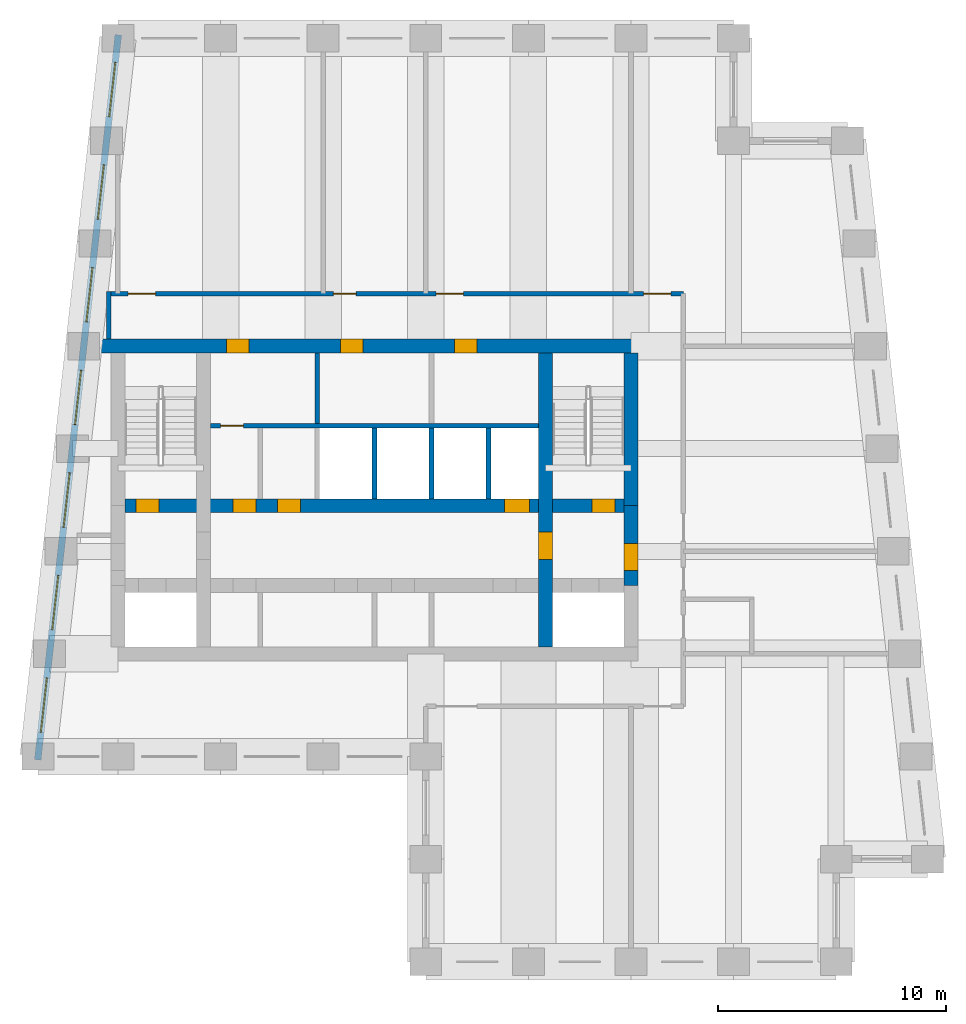
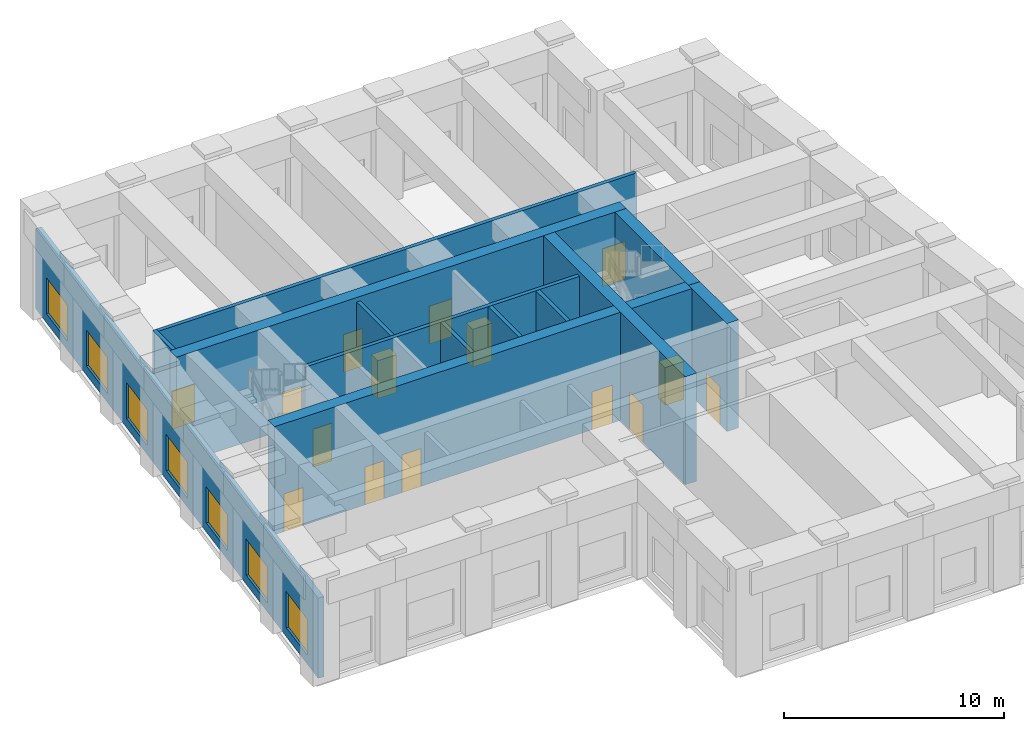
# One storey, part 3 of 7: 15 doors, 13 walls, 7 windows, 22 openings.
"""IFC4 building model written with IfcOpenShell, lengths in metres."""

from ifc_helpers import new_model, si_unit, direction, frame, frame_2d, origin, place, context, subcontext, project, spatial, rectangle, extrude, material, layer, layer_set, type_object, element, fill, save


model = new_model("IFC4")

# Units and contexts
model_context = context("Model", 3, precision=1e-05, world=origin(), true_north=direction((0.0, 1.0)))
body_context = subcontext(model_context, "Body", "Model", "MODEL_VIEW")
ifc_project = project(units=[si_unit("LENGTHUNIT", "METRE"), si_unit("AREAUNIT", "SQUARE_METRE"), si_unit("VOLUMEUNIT", "CUBIC_METRE"), si_unit("PLANEANGLEUNIT", "RADIAN"), si_unit("MASSUNIT", "GRAM", prefix="KILO")], contexts=[model_context])

# Site, building, storey
site_placement = place(None, origin())
site = spatial("IfcSite", under=ifc_project, at=site_placement, CompositionType="ELEMENT")
building_placement = place(site_placement, origin())
building = spatial("IfcBuilding", under=site, at=building_placement, Name="Kilele Tower Hotel", CompositionType="ELEMENT")
storey_placement = place(building_placement, frame((0.0, 0.0, 244.699951171875)))
storey = spatial("IfcBuildingStorey", under=building, at=storey_placement, Name="L63", CompositionType="ELEMENT", Elevation=244.699951171875)

# Wall, openings, doors
ifc_material_1 = material(Name="Concrete C60/75", Category="concrete")
ifc_layer_1 = layer(ifc_material_1, 0.60009765625)
ifc_layer_set_1 = layer_set([ifc_layer_1], Name="Concrete C60/75")
wall_type_1 = type_object("IfcWallType", Name="Core wall 600 C60/75", PredefinedType="SHEAR", material=ifc_layer_set_1)
wall_1_placement = place(storey_placement, frame((36.300048828125, 27.0, 0.0), z_axis=(0.0, 0.0, 1.0), x_axis=(-1.0, 0.0, 0.0)))
wall_1 = element("IfcWall", 1, at=wall_1_placement, inside=storey, type_object=wall_type_1, Name="Core wall N L63", PredefinedType="SHEAR", context=body_context, shape_type="SweptSolid", body=[
    extrude(rectangle(XDim=23.60009765625, YDim=0.60009765625, at=frame_2d((11.800048828125, 0.0))), origin(), (0.0, 0.0, 1.0), 6.0),
])
opening_1_placement = place(wall_1_placement, frame((17.050048828125, 0.0, 0.0)))
opening_1 = element("IfcOpeningElement", 2, at=opening_1_placement, cuts=wall_1, Name="Opening D12", PredefinedType="OPENING", context=body_context, shape_type="SweptSolid", body=[
    extrude(rectangle(XDim=1.0, YDim=2.10009765625, at=frame_2d((0.5, 1.050048828125))), frame((0.0, 0.31005859375, 0.0), z_axis=(0.0, -1.0, 0.0), x_axis=(1.0, 0.0, 0.0)), (0.0, 0.0, 1.0), 0.6201171875),
])
opening_2_placement = place(wall_1_placement, frame((12.050048828125, 0.0, 0.0)))
opening_2 = element("IfcOpeningElement", 3, at=opening_2_placement, cuts=wall_1, Name="Opening D6", PredefinedType="OPENING", context=body_context, shape_type="SweptSolid", body=[
    extrude(rectangle(XDim=1.0, YDim=2.10009765625, at=frame_2d((0.5, 1.050048828125))), frame((0.0, 0.31005859375, 0.0), z_axis=(0.0, -1.0, 0.0), x_axis=(1.0, 0.0, 0.0)), (0.0, 0.0, 1.0), 0.6201171875),
])
opening_3_placement = place(wall_1_placement, frame((7.050048828125, 0.0, 0.0)))
opening_3 = element("IfcOpeningElement", 4, at=opening_3_placement, cuts=wall_1, Name="Opening D6", PredefinedType="OPENING", context=body_context, shape_type="SweptSolid", body=[
    extrude(rectangle(XDim=1.0, YDim=2.10009765625, at=frame_2d((0.5, 1.050048828125))), frame((0.0, 0.31005859375, 0.0), z_axis=(0.0, -1.0, 0.0), x_axis=(1.0, 0.0, 0.0)), (0.0, 0.0, 1.0), 0.6201171875),
])
ifc_material_2 = material(Name="Timber door leaf in hardwood frame", Category="wood")
door_type_1 = type_object("IfcDoorType", Name="Core lobby door 1000", OperationType="SINGLE_SWING_LEFT", PredefinedType="DOOR", material=ifc_material_2)
door_1_placement = place(opening_1_placement, origin())
door_1 = element("IfcDoor", 5, at=door_1_placement, inside=storey, type_object=door_type_1, Name="North lobby door L63", OperationType="SINGLE_SWING_RIGHT", OverallHeight=2.10009765625, OverallWidth=1.0, PredefinedType="DOOR", context=body_context, shape_type="SweptSolid", body=[
    extrude(rectangle(XDim=1.0, YDim=2.10009765625, at=frame_2d((0.5, 1.050048828125))), frame((0.0, 0.2998046875, 0.0), z_axis=(0.0, -1.0, 0.0), x_axis=(1.0, 0.0, 0.0)), (0.0, 0.0, 1.0), 0.599609375),
])
fill(opening_1, door_1)
ifc_material_3 = material(Name="Timber door leaf in hardwood frame", Category="wood")
door_type_2 = type_object("IfcDoorType", Name="Riser door 1000", OperationType="SINGLE_SWING_LEFT", PredefinedType="DOOR", material=ifc_material_3)
door_2_placement = place(opening_2_placement, origin())
door_2 = element("IfcDoor", 6, at=door_2_placement, inside=storey, type_object=door_type_2, Name="Linen store door L63", OperationType="SINGLE_SWING_RIGHT", OverallHeight=2.10009765625, OverallWidth=1.0, PredefinedType="DOOR", context=body_context, shape_type="SweptSolid", body=[
    extrude(rectangle(XDim=1.0, YDim=2.10009765625, at=frame_2d((0.5, 1.050048828125))), frame((0.0, 0.2998046875, 0.0), z_axis=(0.0, -1.0, 0.0), x_axis=(1.0, 0.0, 0.0)), (0.0, 0.0, 1.0), 0.599609375),
])
fill(opening_2, door_2)
door_3_placement = place(opening_3_placement, origin())
door_3 = element("IfcDoor", 7, at=door_3_placement, inside=storey, type_object=door_type_2, Name="Electrical riser door L63", OperationType="SINGLE_SWING_RIGHT", OverallHeight=2.10009765625, OverallWidth=1.0, PredefinedType="DOOR", context=body_context, shape_type="SweptSolid", body=[
    extrude(rectangle(XDim=1.0, YDim=2.10009765625, at=frame_2d((0.5, 1.050048828125))), frame((0.0, 0.2998046875, 0.0), z_axis=(0.0, -1.0, 0.0), x_axis=(1.0, 0.0, 0.0)), (0.0, 0.0, 1.0), 0.599609375),
])
fill(opening_3, door_3)

# Wall, opening, door
wall_2_placement = place(storey_placement, frame((32.25, 13.800048828125, 0.0), z_axis=(0.0, 0.0, 1.0), x_axis=(0.0, 1.0, 0.0)))
wall_2 = element("IfcWall", 8, at=wall_2_placement, inside=storey, type_object=wall_type_1, Name="Core wall IE L63", PredefinedType="SHEAR", context=body_context, shape_type="SweptSolid", body=[
    extrude(rectangle(XDim=12.89990234375, YDim=0.60009765625, at=frame_2d((6.449951171875, 0.0))), origin(), (0.0, 0.0, 1.0), 6.0),
])
opening_4_placement = place(wall_2_placement, frame((5.050048828125, 0.0, 0.0), z_axis=(0.0, 0.0, 1.0), x_axis=(-1.0, 0.0, 0.0)))
opening_4 = element("IfcOpeningElement", 9, at=opening_4_placement, cuts=wall_2, Name="Opening D4", PredefinedType="OPENING", context=body_context, shape_type="SweptSolid", body=[
    extrude(rectangle(XDim=1.199951171875, YDim=2.10009765625, at=frame_2d((0.60009765625, 1.050048828125))), frame((0.0, 0.31005859375, 0.0), z_axis=(0.0, -1.0, 0.0), x_axis=(1.0, 0.0, 0.0)), (0.0, 0.0, 1.0), 0.6201171875),
])
ifc_material_4 = material(Name="Timber door leaf in hardwood frame", Category="wood")
door_type_3 = type_object("IfcDoorType", Name="Firefighting lobby door 1200", OperationType="SINGLE_SWING_LEFT", PredefinedType="DOOR", material=ifc_material_4)
door_4_placement = place(opening_4_placement, origin())
door_4 = element("IfcDoor", 10, at=door_4_placement, inside=storey, type_object=door_type_3, Name="Lobby door L63", OperationType="SINGLE_SWING_RIGHT", OverallHeight=2.10009765625, OverallWidth=1.199951171875, PredefinedType="DOOR", context=body_context, shape_type="SweptSolid", body=[
    extrude(rectangle(XDim=1.199951171875, YDim=2.10009765625, at=frame_2d((0.60009765625, 1.050048828125))), frame((0.0, 0.2998046875, 0.0), z_axis=(0.0, -1.0, 0.0), x_axis=(1.0, 0.0, 0.0)), (0.0, 0.0, 1.0), 0.599609375),
])
fill(opening_4, door_4)

# Wall, openings, doors
wall_3_placement = place(storey_placement, frame((13.800048828125, 20.0, 0.0), z_axis=(0.0, 0.0, 1.0), x_axis=(1.0, 0.0, 0.0)))
wall_3 = element("IfcWall", 11, at=wall_3_placement, inside=storey, type_object=wall_type_1, Name="Core wall LN L63", PredefinedType="SHEAR", context=body_context, shape_type="SweptSolid", body=[
    extrude(rectangle(XDim=21.89990234375, YDim=0.60009765625, at=frame_2d((10.949951171875, 0.0))), origin(), (0.0, 0.0, 1.0), 6.0),
])
opening_5_placement = place(wall_3_placement, frame((0.5, 0.0, 0.0)))
opening_5 = element("IfcOpeningElement", 12, at=opening_5_placement, cuts=wall_3, Name="Opening D5", PredefinedType="OPENING", context=body_context, shape_type="SweptSolid", body=[
    extrude(rectangle(XDim=1.0, YDim=2.10009765625, at=frame_2d((0.5, 1.050048828125))), frame((0.0, 0.31005859375, 0.0), z_axis=(0.0, -1.0, 0.0), x_axis=(1.0, 0.0, 0.0)), (0.0, 0.0, 1.0), 0.6201171875),
])
opening_6_placement = place(wall_3_placement, frame((20.5, 0.0, 0.0)))
opening_6 = element("IfcOpeningElement", 13, at=opening_6_placement, cuts=wall_3, Name="Opening D5", PredefinedType="OPENING", context=body_context, shape_type="SweptSolid", body=[
    extrude(rectangle(XDim=1.0, YDim=2.10009765625, at=frame_2d((0.5, 1.050048828125))), frame((0.0, 0.31005859375, 0.0), z_axis=(0.0, -1.0, 0.0), x_axis=(1.0, 0.0, 0.0)), (0.0, 0.0, 1.0), 0.6201171875),
])
opening_7_placement = place(wall_3_placement, frame((16.64990234375, 0.0, 0.0)))
opening_7 = element("IfcOpeningElement", 14, at=opening_7_placement, cuts=wall_3, Name="Opening LD1", PredefinedType="OPENING", context=body_context, shape_type="SweptSolid", body=[
    extrude(rectangle(XDim=1.10009765625, YDim=2.10009765625, at=frame_2d((0.550048828125, 1.050048828125))), frame((0.0, 0.31005859375, 0.0), z_axis=(0.0, -1.0, 0.0), x_axis=(1.0, 0.0, 0.0)), (0.0, 0.0, 1.0), 0.6201171875),
])
opening_8_placement = place(wall_3_placement, frame((5.75, 0.0, 0.0), z_axis=(0.0, 0.0, 1.0), x_axis=(-1.0, 0.0, 0.0)))
opening_8 = element("IfcOpeningElement", 15, at=opening_8_placement, cuts=wall_3, Name="Opening D12", PredefinedType="OPENING", context=body_context, shape_type="SweptSolid", body=[
    extrude(rectangle(XDim=1.0, YDim=2.10009765625, at=frame_2d((0.5, 1.050048828125))), frame((0.0, 0.31005859375, 0.0), z_axis=(0.0, -1.0, 0.0), x_axis=(1.0, 0.0, 0.0)), (0.0, 0.0, 1.0), 0.6201171875),
])
opening_9_placement = place(wall_3_placement, frame((6.699951171875, 0.0, 0.0)))
opening_9 = element("IfcOpeningElement", 16, at=opening_9_placement, cuts=wall_3, Name="Opening D11", PredefinedType="OPENING", context=body_context, shape_type="SweptSolid", body=[
    extrude(rectangle(XDim=1.0, YDim=2.10009765625, at=frame_2d((0.5, 1.050048828125))), frame((0.0, 0.31005859375, 0.0), z_axis=(0.0, -1.0, 0.0), x_axis=(1.0, 0.0, 0.0)), (0.0, 0.0, 1.0), 0.6201171875),
])
door_5_placement = place(opening_8_placement, origin())
door_5 = element("IfcDoor", 17, at=door_5_placement, inside=storey, type_object=door_type_1, Name="Core passage door L63", OperationType="SINGLE_SWING_RIGHT", OverallHeight=2.10009765625, OverallWidth=1.0, PredefinedType="DOOR", context=body_context, shape_type="SweptSolid", body=[
    extrude(rectangle(XDim=1.0, YDim=2.10009765625, at=frame_2d((0.5, 1.050048828125))), frame((0.0, 0.2998046875, 0.0), z_axis=(0.0, -1.0, 0.0), x_axis=(1.0, 0.0, 0.0)), (0.0, 0.0, 1.0), 0.599609375),
])
fill(opening_8, door_5)
ifc_material_5 = material(Name="Timber door leaf in hardwood frame", Category="wood")
door_type_4 = type_object("IfcDoorType", Name="Core store door 1000", OperationType="SINGLE_SWING_LEFT", PredefinedType="DOOR", material=ifc_material_5)
door_6_placement = place(opening_9_placement, origin())
door_6 = element("IfcDoor", 18, at=door_6_placement, inside=storey, type_object=door_type_4, Name="Core room door S2 L63", OperationType="SINGLE_SWING_LEFT", OverallHeight=2.10009765625, OverallWidth=1.0, PredefinedType="DOOR", context=body_context, shape_type="SweptSolid", body=[
    extrude(rectangle(XDim=1.0, YDim=2.10009765625, at=frame_2d((0.5, 1.050048828125))), frame((0.0, 0.2998046875, 0.0), z_axis=(0.0, -1.0, 0.0), x_axis=(1.0, 0.0, 0.0)), (0.0, 0.0, 1.0), 0.599609375),
])
fill(opening_9, door_6)
ifc_material_6 = material(Name="Steel lift landing door", Category="steel")
door_type_5 = type_object("IfcDoorType", Name="Lift landing door 1100", OperationType="SLIDING_TO_LEFT", PredefinedType="DOOR", material=ifc_material_6)
door_7_placement = place(opening_7_placement, origin())
door_7 = element("IfcDoor", 19, at=door_7_placement, inside=storey, type_object=door_type_5, Name="Landing door G1 L63", OperationType="SLIDING_TO_LEFT", OverallHeight=2.10009765625, OverallWidth=1.10009765625, PredefinedType="DOOR", context=body_context, shape_type="SweptSolid", body=[
    extrude(rectangle(XDim=1.10009765625, YDim=2.10009765625, at=frame_2d((0.550048828125, 1.050048828125))), frame((0.0, 0.2998046875, 0.0), z_axis=(0.0, -1.0, 0.0), x_axis=(1.0, 0.0, 0.0)), (0.0, 0.0, 1.0), 0.599609375),
])
fill(opening_7, door_7)
ifc_material_7 = material(Name="Timber door leaf in hardwood frame", Category="wood")
door_type_6 = type_object("IfcDoorType", Name="Stair door 1000", OperationType="SINGLE_SWING_LEFT", PredefinedType="DOOR", material=ifc_material_7)
door_8_placement = place(opening_5_placement, origin())
door_8 = element("IfcDoor", 20, at=door_8_placement, inside=storey, type_object=door_type_6, Name="Stair 1 door L63", OperationType="SINGLE_SWING_LEFT", OverallHeight=2.10009765625, OverallWidth=1.0, PredefinedType="DOOR", context=body_context, shape_type="SweptSolid", body=[
    extrude(rectangle(XDim=1.0, YDim=2.10009765625, at=frame_2d((0.5, 1.050048828125))), frame((0.0, 0.2998046875, 0.0), z_axis=(0.0, -1.0, 0.0), x_axis=(1.0, 0.0, 0.0)), (0.0, 0.0, 1.0), 0.599609375),
])
fill(opening_5, door_8)
door_9_placement = place(opening_6_placement, origin())
door_9 = element("IfcDoor", 21, at=door_9_placement, inside=storey, type_object=door_type_6, Name="Stair 2 door L63", OperationType="SINGLE_SWING_RIGHT", OverallHeight=2.10009765625, OverallWidth=1.0, PredefinedType="DOOR", context=body_context, shape_type="SweptSolid", body=[
    extrude(rectangle(XDim=1.0, YDim=2.10009765625, at=frame_2d((0.5, 1.050048828125))), frame((0.0, 0.2998046875, 0.0), z_axis=(0.0, -1.0, 0.0), x_axis=(1.0, 0.0, 0.0)), (0.0, 0.0, 1.0), 0.599609375),
])
fill(opening_6, door_9)

# Wall, opening, door
wall_4_placement = place(storey_placement, frame((36.0, 16.5, 0.0), z_axis=(0.0, 0.0, 1.0), x_axis=(0.0, 1.0, 0.0)))
wall_4 = element("IfcWall", 22, at=wall_4_placement, inside=storey, type_object=wall_type_1, Name="Core wall E2 L63", PredefinedType="SHEAR", context=body_context, shape_type="SweptSolid", body=[
    extrude(rectangle(XDim=3.5, YDim=0.60009765625, at=frame_2d((1.75, 0.0))), origin(), (0.0, 0.0, 1.0), 6.0),
])
opening_10_placement = place(wall_4_placement, frame((0.64990234375, 0.0, 0.0)))
opening_10 = element("IfcOpeningElement", 23, at=opening_10_placement, cuts=wall_4, Name="Opening D4", PredefinedType="OPENING", context=body_context, shape_type="SweptSolid", body=[
    extrude(rectangle(XDim=1.199951171875, YDim=2.10009765625, at=frame_2d((0.60009765625, 1.050048828125))), frame((0.0, 0.31005859375, 0.0), z_axis=(0.0, -1.0, 0.0), x_axis=(1.0, 0.0, 0.0)), (0.0, 0.0, 1.0), 0.6201171875),
])
door_10_placement = place(opening_10_placement, origin())
door_10 = element("IfcDoor", 24, at=door_10_placement, inside=storey, type_object=door_type_3, Name="Lobby door L63", OperationType="SINGLE_SWING_LEFT", OverallHeight=2.10009765625, OverallWidth=1.199951171875, PredefinedType="DOOR", context=body_context, shape_type="SweptSolid", body=[
    extrude(rectangle(XDim=1.199951171875, YDim=2.10009765625, at=frame_2d((0.60009765625, 1.050048828125))), frame((0.0, 0.2998046875, 0.0), z_axis=(0.0, -1.0, 0.0), x_axis=(1.0, 0.0, 0.0)), (0.0, 0.0, 1.0), 0.599609375),
])
fill(opening_10, door_10)

# Wall
wall_5_placement = place(storey_placement, frame((36.0, 20.0, 0.0), z_axis=(0.0, 0.0, 1.0), x_axis=(0.0, 1.0, 0.0)))
element("IfcWall", 25, at=wall_5_placement, inside=storey, type_object=wall_type_1, Name="Core wall E3 L63", PredefinedType="SHEAR", context=body_context, shape_type="SweptSolid", body=[
    extrude(rectangle(XDim=6.699951171875, YDim=0.60009765625, at=frame_2d((3.35009765625, 0.0))), origin(), (0.0, 0.0, 1.0), 6.0),
])

# Wall, openings, doors
ifc_material_8 = material(Name="Blockwork, plastered both sides", Category="masonry")
ifc_layer_2 = layer(ifc_material_8, 0.199951171875)
ifc_layer_set_2 = layer_set([ifc_layer_2], Name="Blockwork, plastered both sides")
wall_type_2 = type_object("IfcWallType", Name="Corridor wall 200", PredefinedType="PARTITIONING", material=ifc_layer_set_2)
wall_6_placement = place(storey_placement, frame((13.0, 29.300048828125, 0.0), z_axis=(0.0, 0.0, 1.0), x_axis=(1.0, 0.0, 0.0)))
wall_6 = element("IfcWall", 26, at=wall_6_placement, inside=storey, type_object=wall_type_2, Name="Corridor wall 200 L63", PredefinedType="PARTITIONING", context=body_context, shape_type="SweptSolid", body=[
    extrude(rectangle(XDim=25.300048828125, YDim=0.199951171875, at=frame_2d((12.64990234375, 0.0))), origin(), (0.0, 0.0, 1.0), 5.75),
])
opening_11_placement = place(wall_6_placement, frame((0.949951171875, 0.0, 0.0)))
opening_11 = element("IfcOpeningElement", 27, at=opening_11_placement, cuts=wall_6, Name="Opening D7A", PredefinedType="OPENING", context=body_context, shape_type="SweptSolid", body=[
    extrude(rectangle(XDim=1.199951171875, YDim=2.10009765625, at=frame_2d((0.60009765625, 1.050048828125))), frame((0.0, 0.10986328125, 0.0), z_axis=(0.0, -1.0, 0.0), x_axis=(1.0, 0.0, 0.0)), (0.0, 0.0, 1.0), 0.219970703125),
])
opening_12_placement = place(wall_6_placement, frame((9.949951171875, 0.0, 0.0)))
opening_12 = element("IfcOpeningElement", 28, at=opening_12_placement, cuts=wall_6, Name="Opening D7", PredefinedType="OPENING", context=body_context, shape_type="SweptSolid", body=[
    extrude(rectangle(XDim=1.0, YDim=2.10009765625, at=frame_2d((0.5, 1.050048828125))), frame((0.0, 0.10986328125, 0.0), z_axis=(0.0, -1.0, 0.0), x_axis=(1.0, 0.0, 0.0)), (0.0, 0.0, 1.0), 0.219970703125),
])
opening_13_placement = place(wall_6_placement, frame((14.449951171875, 0.0, 0.0)))
opening_13 = element("IfcOpeningElement", 29, at=opening_13_placement, cuts=wall_6, Name="Opening D7A", PredefinedType="OPENING", context=body_context, shape_type="SweptSolid", body=[
    extrude(rectangle(XDim=1.199951171875, YDim=2.10009765625, at=frame_2d((0.60009765625, 1.050048828125))), frame((0.0, 0.10986328125, 0.0), z_axis=(0.0, -1.0, 0.0), x_axis=(1.0, 0.0, 0.0)), (0.0, 0.0, 1.0), 0.219970703125),
])
opening_14_placement = place(wall_6_placement, frame((23.550048828125, 0.0, 0.0)))
opening_14 = element("IfcOpeningElement", 30, at=opening_14_placement, cuts=wall_6, Name="Opening D7A", PredefinedType="OPENING", context=body_context, shape_type="SweptSolid", body=[
    extrude(rectangle(XDim=1.199951171875, YDim=2.10009765625, at=frame_2d((0.60009765625, 1.050048828125))), frame((0.0, 0.10986328125, 0.0), z_axis=(0.0, -1.0, 0.0), x_axis=(1.0, 0.0, 0.0)), (0.0, 0.0, 1.0), 0.219970703125),
])
ifc_material_9 = material(Name="Timber door leaf in hardwood frame", Category="wood")
door_type_7 = type_object("IfcDoorType", Name="Plant room door 1000", OperationType="SINGLE_SWING_LEFT", PredefinedType="DOOR", material=ifc_material_9)
door_11_placement = place(opening_12_placement, origin())
door_11 = element("IfcDoor", 31, at=door_11_placement, inside=storey, type_object=door_type_7, Name="Door Sky-top water booster pump room 6306", OperationType="SINGLE_SWING_LEFT", OverallHeight=2.10009765625, OverallWidth=1.0, PredefinedType="DOOR", context=body_context, shape_type="SweptSolid", body=[
    extrude(rectangle(XDim=1.0, YDim=2.10009765625, at=frame_2d((0.5, 1.050048828125))), frame((0.0, 0.02490234375, 0.0), z_axis=(0.0, -1.0, 0.0), x_axis=(1.0, 0.0, 0.0)), (0.0, 0.0, 1.0), 0.050048828125),
])
fill(opening_12, door_11)
ifc_material_10 = material(Name="Timber door leaf in hardwood frame", Category="wood")
door_type_8 = type_object("IfcDoorType", Name="Plant room door 1200", OperationType="SINGLE_SWING_LEFT", PredefinedType="DOOR", material=ifc_material_10)
door_12_placement = place(opening_11_placement, origin())
door_12 = element("IfcDoor", 32, at=door_12_placement, inside=storey, type_object=door_type_8, Name="Door Sky-top water tank room 6305", OperationType="SINGLE_SWING_LEFT", OverallHeight=2.10009765625, OverallWidth=1.199951171875, PredefinedType="DOOR", context=body_context, shape_type="SweptSolid", body=[
    extrude(rectangle(XDim=1.199951171875, YDim=2.10009765625, at=frame_2d((0.60009765625, 1.050048828125))), frame((0.0, 0.02490234375, 0.0), z_axis=(0.0, -1.0, 0.0), x_axis=(1.0, 0.0, 0.0)), (0.0, 0.0, 1.0), 0.050048828125),
])
fill(opening_11, door_12)
door_13_placement = place(opening_13_placement, origin())
door_13 = element("IfcDoor", 33, at=door_13_placement, inside=storey, type_object=door_type_8, Name="Door Sky-top chilled water heat exchanger room 6307", OperationType="SINGLE_SWING_LEFT", OverallHeight=2.10009765625, OverallWidth=1.199951171875, PredefinedType="DOOR", context=body_context, shape_type="SweptSolid", body=[
    extrude(rectangle(XDim=1.199951171875, YDim=2.10009765625, at=frame_2d((0.60009765625, 1.050048828125))), frame((0.0, 0.02490234375, 0.0), z_axis=(0.0, -1.0, 0.0), x_axis=(1.0, 0.0, 0.0)), (0.0, 0.0, 1.0), 0.050048828125),
])
fill(opening_13, door_13)
door_14_placement = place(opening_14_placement, origin())
door_14 = element("IfcDoor", 34, at=door_14_placement, inside=storey, type_object=door_type_8, Name="Door Sky-top electrical switch room 6309", OperationType="SINGLE_SWING_LEFT", OverallHeight=2.10009765625, OverallWidth=1.199951171875, PredefinedType="DOOR", context=body_context, shape_type="SweptSolid", body=[
    extrude(rectangle(XDim=1.199951171875, YDim=2.10009765625, at=frame_2d((0.60009765625, 1.050048828125))), frame((0.0, 0.02490234375, 0.0), z_axis=(0.0, -1.0, 0.0), x_axis=(1.0, 0.0, 0.0)), (0.0, 0.0, 1.0), 0.050048828125),
])
fill(opening_14, door_14)

# Wall
ifc_material_11 = material(Name="Blockwork, plastered both sides", Category="masonry")
ifc_layer_3 = layer(ifc_material_11, 0.199951171875)
ifc_layer_set_3 = layer_set([ifc_layer_3], Name="Blockwork, plastered both sides")
wall_type_3 = type_object("IfcWallType", Name="Partition wall 200", PredefinedType="PARTITIONING", material=ifc_layer_set_3)
wall_7_placement = place(storey_placement, frame((13.10009765625, 27.300048828125, 0.0), z_axis=(0.0, 0.0, 1.0), x_axis=(0.0, 1.0, 0.0)))
element("IfcWall", 35, at=wall_7_placement, inside=storey, type_object=wall_type_3, Name="Partition wall 200 L63", PredefinedType="PARTITIONING", context=body_context, shape_type="SweptSolid", body=[
    extrude(rectangle(XDim=2.099853515625, YDim=0.199951171875, at=frame_2d((1.0498046875, 0.0))), origin(), (0.0, 0.0, 1.0), 5.75),
])

# Wall, openings, windows
ifc_material_12 = material(Name="Concrete C40/50 precast", Category="concrete")
ifc_layer_4 = layer(ifc_material_12, 0.260009765625, Name="Precast backing", Category="LoadBearing")
ifc_material_13 = material(Name="Reconstituted stone finish", Category="masonry")
ifc_layer_5 = layer(ifc_material_13, 0.0400390625, Name="Face mix", Category="Finish")
ifc_layer_set_4 = layer_set([ifc_layer_4, ifc_layer_5], Name="Precast concrete C40/50, reconstituted stone finish")
wall_type_4 = type_object("IfcWallType", Name="Precast stone facade wall 300", PredefinedType="STANDARD", material=ifc_layer_set_4)
wall_8_placement = place(storey_placement, frame((13.5166015625, 40.649169921875, 0.0), z_axis=(0.0, 0.0, 1.0), x_axis=(-0.110433201132, -0.993883548555, 0.0)))
wall_8 = element("IfcWall", 36, at=wall_8_placement, inside=storey, type_object=wall_type_4, Name="Facade wall L63 edge 10", PredefinedType="STANDARD", context=body_context, shape_type="SweptSolid", body=[
    extrude(rectangle(XDim=31.994140625, YDim=0.300048828125, at=frame_2d((15.9970703125, 0.0))), origin(), (0.0, 0.0, 1.0), 4.449951171875),
])
opening_15_placement = place(wall_8_placement, frame((1.214111328125, 0.0, 0.5)))
opening_15 = element("IfcOpeningElement", 37, at=opening_15_placement, cuts=wall_8, Name="Opening LV1", PredefinedType="OPENING", context=body_context, shape_type="SweptSolid", body=[
    extrude(rectangle(XDim=2.39990234375, YDim=2.0, at=frame_2d((1.199951171875, 1.0))), frame((0.0, 0.159912109375, 0.0), z_axis=(0.0, -1.0, 0.0), x_axis=(1.0, 0.0, 0.0)), (0.0, 0.0, 1.0), 0.320068359375),
])
opening_16_placement = place(wall_8_placement, frame((5.741943359375, 0.0, 0.5)))
opening_16 = element("IfcOpeningElement", 38, at=opening_16_placement, cuts=wall_8, Name="Opening LV1", PredefinedType="OPENING", context=body_context, shape_type="SweptSolid", body=[
    extrude(rectangle(XDim=2.39990234375, YDim=2.0, at=frame_2d((1.199951171875, 1.0))), frame((0.0, 0.159912109375, 0.0), z_axis=(0.0, -1.0, 0.0), x_axis=(1.0, 0.0, 0.0)), (0.0, 0.0, 1.0), 0.320068359375),
])
opening_17_placement = place(wall_8_placement, frame((10.26904296875, 0.0, 0.5)))
opening_17 = element("IfcOpeningElement", 39, at=opening_17_placement, cuts=wall_8, Name="Opening LV1", PredefinedType="OPENING", context=body_context, shape_type="SweptSolid", body=[
    extrude(rectangle(XDim=2.39990234375, YDim=2.0, at=frame_2d((1.199951171875, 1.0))), frame((0.0, 0.159912109375, 0.0), z_axis=(0.0, -1.0, 0.0), x_axis=(1.0, 0.0, 0.0)), (0.0, 0.0, 1.0), 0.320068359375),
])
opening_18_placement = place(wall_8_placement, frame((14.797119140625, 0.0, 0.5)))
opening_18 = element("IfcOpeningElement", 40, at=opening_18_placement, cuts=wall_8, Name="Opening LV1", PredefinedType="OPENING", context=body_context, shape_type="SweptSolid", body=[
    extrude(rectangle(XDim=2.39990234375, YDim=2.0, at=frame_2d((1.199951171875, 1.0))), frame((0.0, 0.159912109375, 0.0), z_axis=(0.0, -1.0, 0.0), x_axis=(1.0, 0.0, 0.0)), (0.0, 0.0, 1.0), 0.320068359375),
])
opening_19_placement = place(wall_8_placement, frame((19.324951171875, 0.0, 0.5)))
opening_19 = element("IfcOpeningElement", 41, at=opening_19_placement, cuts=wall_8, Name="Opening LV1", PredefinedType="OPENING", context=body_context, shape_type="SweptSolid", body=[
    extrude(rectangle(XDim=2.39990234375, YDim=2.0, at=frame_2d((1.199951171875, 1.0))), frame((0.0, 0.159912109375, 0.0), z_axis=(0.0, -1.0, 0.0), x_axis=(1.0, 0.0, 0.0)), (0.0, 0.0, 1.0), 0.320068359375),
])
opening_20_placement = place(wall_8_placement, frame((23.85205078125, 0.0, 0.5)))
opening_20 = element("IfcOpeningElement", 42, at=opening_20_placement, cuts=wall_8, Name="Opening LV1", PredefinedType="OPENING", context=body_context, shape_type="SweptSolid", body=[
    extrude(rectangle(XDim=2.39990234375, YDim=2.0, at=frame_2d((1.199951171875, 1.0))), frame((0.0, 0.159912109375, 0.0), z_axis=(0.0, -1.0, 0.0), x_axis=(1.0, 0.0, 0.0)), (0.0, 0.0, 1.0), 0.320068359375),
])
opening_21_placement = place(wall_8_placement, frame((28.3798828125, 0.0, 0.5)))
opening_21 = element("IfcOpeningElement", 43, at=opening_21_placement, cuts=wall_8, Name="Opening LV1", PredefinedType="OPENING", context=body_context, shape_type="SweptSolid", body=[
    extrude(rectangle(XDim=2.39990234375, YDim=2.0, at=frame_2d((1.199951171875, 1.0))), frame((0.0, 0.159912109375, 0.0), z_axis=(0.0, -1.0, 0.0), x_axis=(1.0, 0.0, 0.0)), (0.0, 0.0, 1.0), 0.320068359375),
])
ifc_material_14 = material(Name="Aluminium weather louvre with insect mesh", Category="aluminium")
window_type = type_object("IfcWindowType", Name="Ventilation louvre 2400 x 2000", PartitioningType="SINGLE_PANEL", PredefinedType="USERDEFINED", material=ifc_material_14)
window_1_placement = place(opening_15_placement, origin())
window_1 = element("IfcWindow", 44, at=window_1_placement, inside=storey, type_object=window_type, Name="Louvre L63", ObjectType="LOUVRE", OverallHeight=2.0, OverallWidth=2.39990234375, PartitioningType="SINGLE_PANEL", PredefinedType="USERDEFINED", context=body_context, shape_type="SweptSolid", body=[
    extrude(rectangle(XDim=2.39990234375, YDim=2.0, at=frame_2d((1.199951171875, 1.0))), frame((0.0, 0.030029296875, 0.0), z_axis=(0.0, -1.0, 0.0), x_axis=(1.0, 0.0, 0.0)), (0.0, 0.0, 1.0), 0.06005859375),
])
fill(opening_15, window_1)
window_2_placement = place(opening_16_placement, origin())
window_2 = element("IfcWindow", 45, at=window_2_placement, inside=storey, type_object=window_type, Name="Louvre L63", ObjectType="LOUVRE", OverallHeight=2.0, OverallWidth=2.39990234375, PartitioningType="SINGLE_PANEL", PredefinedType="USERDEFINED", context=body_context, shape_type="SweptSolid", body=[
    extrude(rectangle(XDim=2.39990234375, YDim=2.0, at=frame_2d((1.199951171875, 1.0))), frame((0.0, 0.030029296875, 0.0), z_axis=(0.0, -1.0, 0.0), x_axis=(1.0, 0.0, 0.0)), (0.0, 0.0, 1.0), 0.06005859375),
])
fill(opening_16, window_2)
window_3_placement = place(opening_17_placement, origin())
window_3 = element("IfcWindow", 46, at=window_3_placement, inside=storey, type_object=window_type, Name="Louvre L63", ObjectType="LOUVRE", OverallHeight=2.0, OverallWidth=2.39990234375, PartitioningType="SINGLE_PANEL", PredefinedType="USERDEFINED", context=body_context, shape_type="SweptSolid", body=[
    extrude(rectangle(XDim=2.39990234375, YDim=2.0, at=frame_2d((1.199951171875, 1.0))), frame((0.0, 0.030029296875, 0.0), z_axis=(0.0, -1.0, 0.0), x_axis=(1.0, 0.0, 0.0)), (0.0, 0.0, 1.0), 0.06005859375),
])
fill(opening_17, window_3)
window_4_placement = place(opening_18_placement, origin())
window_4 = element("IfcWindow", 47, at=window_4_placement, inside=storey, type_object=window_type, Name="Louvre L63", ObjectType="LOUVRE", OverallHeight=2.0, OverallWidth=2.39990234375, PartitioningType="SINGLE_PANEL", PredefinedType="USERDEFINED", context=body_context, shape_type="SweptSolid", body=[
    extrude(rectangle(XDim=2.39990234375, YDim=2.0, at=frame_2d((1.199951171875, 1.0))), frame((0.0, 0.030029296875, 0.0), z_axis=(0.0, -1.0, 0.0), x_axis=(1.0, 0.0, 0.0)), (0.0, 0.0, 1.0), 0.06005859375),
])
fill(opening_18, window_4)
window_5_placement = place(opening_19_placement, origin())
window_5 = element("IfcWindow", 48, at=window_5_placement, inside=storey, type_object=window_type, Name="Louvre L63", ObjectType="LOUVRE", OverallHeight=2.0, OverallWidth=2.39990234375, PartitioningType="SINGLE_PANEL", PredefinedType="USERDEFINED", context=body_context, shape_type="SweptSolid", body=[
    extrude(rectangle(XDim=2.39990234375, YDim=2.0, at=frame_2d((1.199951171875, 1.0))), frame((0.0, 0.030029296875, 0.0), z_axis=(0.0, -1.0, 0.0), x_axis=(1.0, 0.0, 0.0)), (0.0, 0.0, 1.0), 0.06005859375),
])
fill(opening_19, window_5)
window_6_placement = place(opening_20_placement, origin())
window_6 = element("IfcWindow", 49, at=window_6_placement, inside=storey, type_object=window_type, Name="Louvre L63", ObjectType="LOUVRE", OverallHeight=2.0, OverallWidth=2.39990234375, PartitioningType="SINGLE_PANEL", PredefinedType="USERDEFINED", context=body_context, shape_type="SweptSolid", body=[
    extrude(rectangle(XDim=2.39990234375, YDim=2.0, at=frame_2d((1.199951171875, 1.0))), frame((0.0, 0.030029296875, 0.0), z_axis=(0.0, -1.0, 0.0), x_axis=(1.0, 0.0, 0.0)), (0.0, 0.0, 1.0), 0.06005859375),
])
fill(opening_20, window_6)
window_7_placement = place(opening_21_placement, origin())
window_7 = element("IfcWindow", 50, at=window_7_placement, inside=storey, type_object=window_type, Name="Louvre L63", ObjectType="LOUVRE", OverallHeight=2.0, OverallWidth=2.39990234375, PartitioningType="SINGLE_PANEL", PredefinedType="USERDEFINED", context=body_context, shape_type="SweptSolid", body=[
    extrude(rectangle(XDim=2.39990234375, YDim=2.0, at=frame_2d((1.199951171875, 1.0))), frame((0.0, 0.030029296875, 0.0), z_axis=(0.0, -1.0, 0.0), x_axis=(1.0, 0.0, 0.0)), (0.0, 0.0, 1.0), 0.06005859375),
])
fill(opening_21, window_7)

# Walls
ifc_material_15 = material(Name="Blockwork, fire-rated", Category="masonry")
ifc_layer_6 = layer(ifc_material_15, 0.199951171875)
ifc_layer_set_5 = layer_set([ifc_layer_6], Name="Blockwork, fire-rated")
wall_type_5 = type_object("IfcWallType", Name="Shaft wall 200", PredefinedType="PARTITIONING", material=ifc_layer_set_5)
for number, where, z_axis, x_axis, name in (
    (51, (24.75, 20.300048828125, 0.0), (0.0, 0.0, 1.0), (0.0, 1.0, 0.0), "Shaft wall 200 L63"),
    (52, (27.25, 20.300048828125, 0.0), (0.0, 0.0, 1.0), (0.0, 1.0, 0.0), "Shaft wall 200 L63"),
    (53, (29.75, 20.300048828125, 0.0), (0.0, 0.0, 1.0), (0.0, 1.0, 0.0), "Shaft wall 200 L63"),
):
    element("IfcWall", number, at=place(storey_placement, frame(where, z_axis=z_axis, x_axis=x_axis)), inside=storey, type_object=wall_type_5, Name=name, PredefinedType="PARTITIONING", context=body_context, shape_type="SweptSolid", body=[
        extrude(rectangle(XDim=3.099853515625, YDim=0.199951171875, at=frame_2d((1.5498046875, 0.0))), origin(), (0.0, 0.0, 1.0), 5.75),
    ])

# Wall, opening, door
wall_9_placement = place(storey_placement, frame((17.550048828125, 23.5, 0.0), z_axis=(0.0, 0.0, 1.0), x_axis=(1.0, 0.0, 0.0)))
wall_9 = element("IfcWall", 54, at=wall_9_placement, inside=storey, type_object=wall_type_5, Name="Shaft wall 200 L63", PredefinedType="PARTITIONING", context=body_context, shape_type="SweptSolid", body=[
    extrude(rectangle(XDim=14.39990234375, YDim=0.199951171875, at=frame_2d((7.199951171875, 0.0))), origin(), (0.0, 0.0, 1.0), 5.75),
])
opening_22_placement = place(wall_9_placement, frame((0.449951171875, 0.0, 0.0)))
opening_22 = element("IfcOpeningElement", 55, at=opening_22_placement, cuts=wall_9, Name="Opening D12", PredefinedType="OPENING", context=body_context, shape_type="SweptSolid", body=[
    extrude(rectangle(XDim=1.0, YDim=2.10009765625, at=frame_2d((0.5, 1.050048828125))), frame((0.0, 0.10986328125, 0.0), z_axis=(0.0, -1.0, 0.0), x_axis=(1.0, 0.0, 0.0)), (0.0, 0.0, 1.0), 0.219970703125),
])
door_15_placement = place(opening_22_placement, origin())
door_15 = element("IfcDoor", 56, at=door_15_placement, inside=storey, type_object=door_type_1, Name="Core passage door", OperationType="SINGLE_SWING_LEFT", OverallHeight=2.10009765625, OverallWidth=1.0, PredefinedType="DOOR", context=body_context, shape_type="SweptSolid", body=[
    extrude(rectangle(XDim=1.0, YDim=2.10009765625, at=frame_2d((0.5, 1.050048828125))), frame((0.0, 0.02490234375, 0.0), z_axis=(0.0, -1.0, 0.0), x_axis=(1.0, 0.0, 0.0)), (0.0, 0.0, 1.0), 0.050048828125),
])
fill(opening_22, door_15)

# Wall
wall_10_placement = place(storey_placement, frame((22.25, 23.60009765625, 0.0), z_axis=(0.0, 0.0, 1.0), x_axis=(0.0, 1.0, 0.0)))
element("IfcWall", 57, at=wall_10_placement, inside=storey, type_object=wall_type_5, Name="Shaft wall 200 L63", PredefinedType="PARTITIONING", context=body_context, shape_type="SweptSolid", body=[
    extrude(rectangle(XDim=3.099853515625, YDim=0.199951171875, at=frame_2d((1.5498046875, 0.0))), origin(), (0.0, 0.0, 1.0), 5.75),
])

save(model, "model.ifc")
